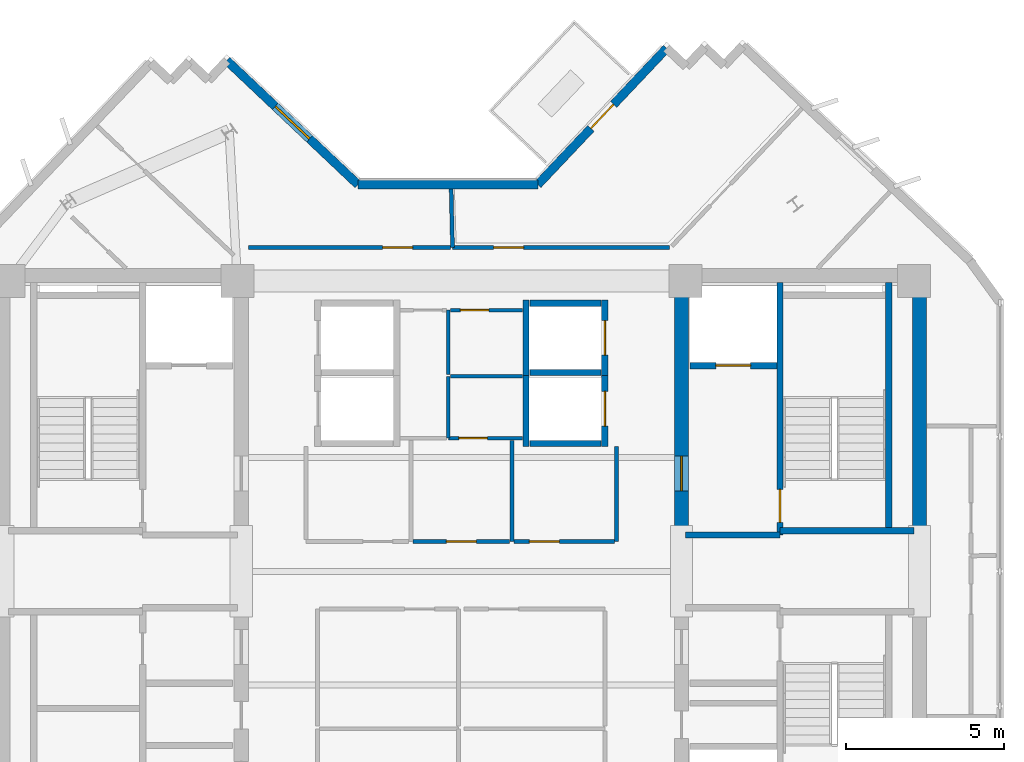
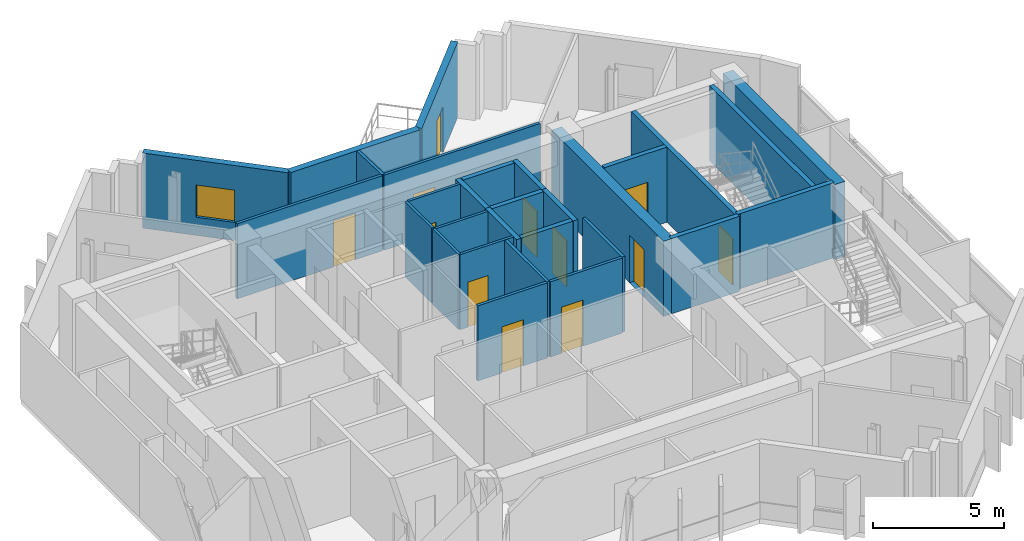
# One storey, part 6 of 9: 29 walls, 12 doors, 1 window, 13 openings.
"""IFC4 building model written with IfcOpenShell, lengths in metres."""

from ifc_helpers import new_model, si_unit, direction, frame, frame_2d, origin, place, context, subcontext, project, spatial, rectangle, extrude, source, transform, mapped, material, layer, layer_set, type_object, element, fill, save


model = new_model("IFC4")

# Units and contexts
model_context = context("Model", 3, precision=1e-05, world=origin(), true_north=direction((0.0, 1.0)))
body_context = subcontext(model_context, "Body", "Model", "MODEL_VIEW")
ifc_project = project(units=[si_unit("LENGTHUNIT", "METRE"), si_unit("AREAUNIT", "SQUARE_METRE"), si_unit("VOLUMEUNIT", "CUBIC_METRE"), si_unit("PLANEANGLEUNIT", "RADIAN"), si_unit("MASSUNIT", "GRAM", prefix="KILO")], contexts=[model_context])

# Site, building, storey
site_placement = place(None, origin())
site = spatial("IfcSite", under=ifc_project, at=site_placement, CompositionType="ELEMENT")
building_placement = place(site_placement, origin())
building = spatial("IfcBuilding", under=site, at=building_placement, Name="Zahravan Cultural Tower", CompositionType="ELEMENT")
storey_placement = place(building_placement, frame((0.0, 0.0, 306.60009765625)))
storey = spatial("IfcBuildingStorey", under=building, at=storey_placement, Name="L74", CompositionType="ELEMENT", Elevation=306.60009765625)

# Wall, opening, door
ifc_material_1 = material(Name="Concrete C50/60", Category="concrete")
ifc_layer_1 = layer(ifc_material_1, 0.449951171875)
ifc_layer_set_1 = layer_set([ifc_layer_1], Name="Concrete C50/60")
wall_type_1 = type_object("IfcWallType", Name="CW-SHEAR-450-C50", PredefinedType="SHEAR", material=ifc_layer_set_1)
wall_1_placement = place(storey_placement, frame((42.97509765625, 28.050048828125, 0.0), z_axis=(0.0, 0.0, 1.0), x_axis=(0.0, 1.0, 0.0)))
wall_1 = element("IfcWall", 1, at=wall_1_placement, inside=storey, type_object=wall_type_1, Name="L74 Core Shear Wall CW-E-WN-L74", PredefinedType="SHEAR", context=body_context, shape_type="SweptSolid", body=[
    extrude(rectangle(XDim=8.550048828125, YDim=0.449951171875, at=frame_2d((4.27490234375, 0.0))), origin(), (0.0, 0.0, 1.0), 3.5),
])
opening_1_placement = place(wall_1_placement, frame((1.5, 0.0, 0.0)))
opening_1 = element("IfcOpeningElement", 2, at=opening_1_placement, cuts=wall_1, Name="Opening D-L74-07", PredefinedType="OPENING", context=body_context, shape_type="SweptSolid", body=[
    extrude(rectangle(XDim=1.10009765625, YDim=2.199951171875, at=frame_2d((0.550048828125, 1.10009765625))), frame((0.0, 0.23486328125, 0.0), z_axis=(0.0, -1.0, 0.0), x_axis=(1.0, 0.0, 0.0)), (0.0, 0.0, 1.0), 0.469970703125),
])
ifc_material_2 = material(Name="Steel ASTM A572 Grade 50", Category="steel")
door_type_1 = type_object("IfcDoorType", Name="DR-LOBBY-1100", OperationType="NOTDEFINED", PredefinedType="DOOR", material=ifc_material_2)
shared_shape_1 = source(origin(), body_context, "Body", "SweptSolid", [
    extrude(rectangle(XDim=1.10009765625, YDim=2.199951171875, at=frame_2d((0.550048828125, 1.10009765625))), frame((0.0, 0.02490234375, 0.0), z_axis=(0.0, -1.0, 0.0), x_axis=(1.0, 0.0, 0.0)), (0.0, 0.0, 1.0), 0.050048828125),
])
door_1_placement = place(opening_1_placement, origin())
door_1 = element("IfcDoor", 3, at=door_1_placement, inside=storey, type_object=door_type_1, Name="L74 Door D-L74-07", OperationType="SINGLE_SWING_RIGHT", OverallHeight=2.199951171875, OverallWidth=1.10009765625, PredefinedType="DOOR", context=body_context, shape_type="MappedRepresentation", body=[
    mapped(shared_shape_1, transform((0.0, 0.0, 0.0), x_axis=(1.0, 0.0, 0.0), y_axis=(0.0, 1.0, 0.0), z_axis=(0.0, 0.0, 1.0), scale=1.0)),
])
fill(opening_1, door_1)

ifc_material_3 = material(Name="Precast concrete C40/50", Category="concrete")
ifc_layer_2 = layer(ifc_material_3, 0.280029296875)
ifc_layer_set_2 = layer_set([ifc_layer_2], Name="Precast concrete C40/50")
wall_type_2 = type_object("IfcWallType", Name="EW-TC-280", PredefinedType="SOLIDWALL", material=ifc_layer_set_2)
wall_2_placement = place(storey_placement, frame((38.423095703125, 39.260009765625, 0.0), z_axis=(0.0, 0.0, 1.0), x_axis=(0.686888766374, 0.72676256276, 0.0)))
wall_2 = element("IfcWall", 4, at=wall_2_placement, inside=storey, type_object=wall_type_2, Name="L74 Exterior Masonry Frame Wall 01", PredefinedType="SOLIDWALL", context=body_context, shape_type="SweptSolid", body=[
    extrude(rectangle(XDim=5.9453125, YDim=0.280029296875, at=frame_2d((2.97265625, 0.0))), origin(), (0.0, 0.0, 1.0), 3.5),
])
opening_2_placement = place(wall_2_placement, frame((2.447998046875, 0.0, 0.0)))
opening_2 = element("IfcOpeningElement", 5, at=opening_2_placement, cuts=wall_2, Name="Opening D-L74-TR-NE", PredefinedType="OPENING", context=body_context, shape_type="SweptSolid", body=[
    extrude(rectangle(XDim=1.050048828125, YDim=2.14990234375, at=frame_2d((0.52490234375, 1.074951171875))), frame((0.0, 0.14990234375, 0.0), z_axis=(0.0, -1.0, 0.0), x_axis=(1.0, 0.0, 0.0)), (0.0, 0.0, 1.0), 0.300048828125),
])
ifc_material_4 = material(Name="Anodised bronze-aluminium mullion", Category="aluminium")
door_type_2 = type_object("IfcDoorType", Name="DR-TERR-1050", OperationType="NOTDEFINED", PredefinedType="DOOR", material=ifc_material_4)
shared_shape_2 = source(origin(), body_context, "Body", "SweptSolid", [
    extrude(rectangle(XDim=1.050048828125, YDim=2.14990234375, at=frame_2d((0.52490234375, 1.074951171875))), frame((0.0, 0.02490234375, 0.0), z_axis=(0.0, -1.0, 0.0), x_axis=(1.0, 0.0, 0.0)), (0.0, 0.0, 1.0), 0.050048828125),
])
door_2_placement = place(opening_2_placement, origin())
door_2 = element("IfcDoor", 6, at=door_2_placement, inside=storey, type_object=door_type_2, Name="L74 Terrace Access Door NE", OperationType="SINGLE_SWING_LEFT", OverallHeight=2.14990234375, OverallWidth=1.050048828125, PredefinedType="DOOR", context=body_context, shape_type="MappedRepresentation", body=[
    mapped(shared_shape_2, transform((0.0, 0.0, 0.0), x_axis=(1.0, 0.0, 0.0), y_axis=(0.0, 1.0, 0.0), z_axis=(0.0, 0.0, 1.0), scale=1.0)),
])
fill(opening_2, door_2)

# Wall, opening, window
wall_3_placement = place(storey_placement, frame((28.568359375, 43.1875, 0.0), z_axis=(0.0, 0.0, 1.0), x_axis=(0.726765623086, -0.686885528382, 0.0)))
wall_3 = element("IfcWall", 7, at=wall_3_placement, inside=storey, type_object=wall_type_2, Name="L74 Exterior Masonry Frame Wall 27", PredefinedType="SOLIDWALL", context=body_context, shape_type="SweptSolid", body=[
    extrude(rectangle(XDim=5.7177734375, YDim=0.280029296875, at=frame_2d((2.85888671875, 0.0))), origin(), (0.0, 0.0, 1.0), 3.5),
])
opening_3_placement = place(wall_3_placement, frame((2.10888671875, 0.0, 0.85009765625)))
opening_3 = element("IfcOpeningElement", 8, at=opening_3_placement, cuts=wall_3, Name="Opening WN-03", PredefinedType="OPENING", context=body_context, shape_type="SweptSolid", body=[
    extrude(rectangle(XDim=1.5, YDim=1.5, at=frame_2d((0.75, 0.75))), frame((0.0, 0.14990234375, 0.0), z_axis=(0.0, -1.0, 0.0), x_axis=(1.0, 0.0, 0.0)), (0.0, 0.0, 1.0), 0.300048828125),
])
ifc_material_5 = material(Name="Low-E solar-control double glazing", Category="glass")
window_type = type_object("IfcWindowType", Name="WN-REC-1500X1500", PartitioningType="SINGLE_PANEL", PredefinedType="WINDOW", material=ifc_material_5)
shared_shape_3 = source(origin(), body_context, "Body", "SweptSolid", [
    extrude(rectangle(XDim=1.5, YDim=1.5, at=frame_2d((0.75, 0.75))), frame((0.0, 0.030029296875, 0.0), z_axis=(0.0, -1.0, 0.0), x_axis=(1.0, 0.0, 0.0)), (0.0, 0.0, 1.0), 0.06005859375),
])
window_placement = place(opening_3_placement, origin())
window = element("IfcWindow", 9, at=window_placement, inside=storey, type_object=window_type, Name="L74 Recessed Solar Window 05", OverallHeight=1.5, OverallWidth=1.5, PartitioningType="SINGLE_PANEL", PredefinedType="WINDOW", context=body_context, shape_type="MappedRepresentation", body=[
    mapped(shared_shape_3, transform((0.0, 0.0, 0.0), x_axis=(1.0, 0.0, 0.0), y_axis=(0.0, 1.0, 0.0), z_axis=(0.0, 0.0, 1.0), scale=1.0)),
])
fill(opening_3, window)

# Wall, opening, door
ifc_material_6 = material(Name="Gypsum plasterboard partition")
ifc_layer_3 = layer(ifc_material_6, 0.125)
ifc_layer_set_3 = layer_set([ifc_layer_3], Name="Gypsum plasterboard partition")
wall_type_3 = type_object("IfcWallType", Name="W-PART-125", PredefinedType="PARTITIONING", material=ifc_layer_set_3)
wall_4_placement = place(storey_placement, frame((37.532470703125, 27.93994140625, 0.0), z_axis=(0.0, 0.0, 1.0), x_axis=(-1.0, 0.0, 0.0)))
wall_4 = element("IfcWall", 10, at=wall_4_placement, inside=storey, type_object=wall_type_3, Name="L74 Interior Wall 055", PredefinedType="PARTITIONING", context=body_context, shape_type="SweptSolid", body=[
    extrude(rectangle(XDim=3.06494140625, YDim=0.125, at=frame_2d((1.532470703125, 0.0))), origin(), (0.0, 0.0, 1.0), 3.5),
])
opening_4_placement = place(wall_4_placement, frame((1.0576171875, 0.0, 0.0)))
opening_4 = element("IfcOpeningElement", 11, at=opening_4_placement, cuts=wall_4, Name="Opening D-L74-21", PredefinedType="OPENING", context=body_context, shape_type="SweptSolid", body=[
    extrude(rectangle(XDim=0.949951171875, YDim=2.14990234375, at=frame_2d((0.47509765625, 1.074951171875))), frame((0.0, 0.072509765625, 0.0), z_axis=(0.0, -1.0, 0.0), x_axis=(1.0, 0.0, 0.0)), (0.0, 0.0, 1.0), 0.14501953125),
])
door_type_3 = type_object("IfcDoorType", Name="DR-ROOM-950", OperationType="NOTDEFINED", PredefinedType="DOOR", material=ifc_material_4)
shared_shape_4 = source(origin(), body_context, "Body", "SweptSolid", [
    extrude(rectangle(XDim=0.949951171875, YDim=2.14990234375, at=frame_2d((0.47509765625, 1.074951171875))), frame((0.0, 0.02490234375, 0.0), z_axis=(0.0, -1.0, 0.0), x_axis=(1.0, 0.0, 0.0)), (0.0, 0.0, 1.0), 0.050048828125),
])
door_3_placement = place(opening_4_placement, origin())
door_3 = element("IfcDoor", 12, at=door_3_placement, inside=storey, type_object=door_type_3, Name="L74 Door D-L74-21", OperationType="SINGLE_SWING_RIGHT", OverallHeight=2.14990234375, OverallWidth=0.949951171875, PredefinedType="DOOR", context=body_context, shape_type="MappedRepresentation", body=[
    mapped(shared_shape_4, transform((0.0, 0.0, 0.0), x_axis=(1.0, 0.0, 0.0), y_axis=(0.0, 1.0, 0.0), z_axis=(0.0, 0.0, 1.0), scale=1.0)),
])
fill(opening_4, door_3)

wall_5_placement = place(storey_placement, frame((40.8525390625, 27.93994140625, 0.0), z_axis=(0.0, 0.0, 1.0), x_axis=(-1.0, 0.0, 0.0)))
wall_5 = element("IfcWall", 13, at=wall_5_placement, inside=storey, type_object=wall_type_3, Name="L74 Interior Wall 059", PredefinedType="PARTITIONING", context=body_context, shape_type="SweptSolid", body=[
    extrude(rectangle(XDim=3.18505859375, YDim=0.125, at=frame_2d((1.592529296875, 0.0))), origin(), (0.0, 0.0, 1.0), 3.5),
])
opening_5_placement = place(wall_5_placement, frame((1.743408203125, 0.0, 0.0)))
opening_5 = element("IfcOpeningElement", 14, at=opening_5_placement, cuts=wall_5, Name="Opening D-L74-22", PredefinedType="OPENING", context=body_context, shape_type="SweptSolid", body=[
    extrude(rectangle(XDim=0.949951171875, YDim=2.14990234375, at=frame_2d((0.47509765625, 1.074951171875))), frame((0.0, 0.072509765625, 0.0), z_axis=(0.0, -1.0, 0.0), x_axis=(1.0, 0.0, 0.0)), (0.0, 0.0, 1.0), 0.14501953125),
])
door_4_placement = place(opening_5_placement, origin())
door_4 = element("IfcDoor", 15, at=door_4_placement, inside=storey, type_object=door_type_3, Name="L74 Door D-L74-22", OperationType="SINGLE_SWING_LEFT", OverallHeight=2.14990234375, OverallWidth=0.949951171875, PredefinedType="DOOR", context=body_context, shape_type="MappedRepresentation", body=[
    mapped(shared_shape_4, transform((0.0, 0.0, 0.0), x_axis=(1.0, 0.0, 0.0), y_axis=(0.0, 1.0, 0.0), z_axis=(0.0, 0.0, 1.0), scale=1.0)),
])
fill(opening_5, door_4)

wall_6_placement = place(storey_placement, frame((35.65283203125, 37.260009765625, 0.0), z_axis=(0.0, 0.0, 1.0), x_axis=(-0.999999997089, -7.6303842e-05, 0.0)))
wall_6 = element("IfcWall", 16, at=wall_6_placement, inside=storey, type_object=wall_type_3, Name="L74 Interior Wall 091", PredefinedType="PARTITIONING", context=body_context, shape_type="SweptSolid", body=[
    extrude(rectangle(XDim=6.399169921875, YDim=0.125, at=frame_2d((3.19970703125, 0.0))), origin(), (0.0, 0.0, 1.0), 3.5),
])
opening_6_placement = place(wall_6_placement, frame((1.19873046875, 0.0, 0.0)))
opening_6 = element("IfcOpeningElement", 17, at=opening_6_placement, cuts=wall_6, Name="Opening D-L74-25", PredefinedType="OPENING", context=body_context, shape_type="SweptSolid", body=[
    extrude(rectangle(XDim=0.949951171875, YDim=2.14990234375, at=frame_2d((0.47509765625, 1.074951171875))), frame((0.0, 0.072509765625, 0.0), z_axis=(0.0, -1.0, 0.0), x_axis=(1.0, 0.0, 0.0)), (0.0, 0.0, 1.0), 0.14501953125),
])
door_5_placement = place(opening_6_placement, origin())
door_5 = element("IfcDoor", 18, at=door_5_placement, inside=storey, type_object=door_type_3, Name="L74 Door D-L74-25", OperationType="SINGLE_SWING_RIGHT", OverallHeight=2.14990234375, OverallWidth=0.949951171875, PredefinedType="DOOR", context=body_context, shape_type="MappedRepresentation", body=[
    mapped(shared_shape_4, transform((0.0, 0.0, 0.0), x_axis=(1.0, 0.0, 0.0), y_axis=(0.0, 1.0, 0.0), z_axis=(0.0, 0.0, 1.0), scale=1.0)),
])
fill(opening_6, door_5)

wall_7_placement = place(storey_placement, frame((42.600830078125, 37.260009765625, 0.0), z_axis=(0.0, 0.0, 1.0), x_axis=(-1.0, 0.0, 0.0)))
wall_7 = element("IfcWall", 19, at=wall_7_placement, inside=storey, type_object=wall_type_3, Name="L74 Interior Wall 094", PredefinedType="PARTITIONING", context=body_context, shape_type="SweptSolid", body=[
    extrude(rectangle(XDim=6.880615234375, YDim=0.125, at=frame_2d((3.4404296875, 0.0))), origin(), (0.0, 0.0, 1.0), 3.5),
])
opening_7_placement = place(wall_7_placement, frame((4.6259765625, 0.0, 0.0)))
opening_7 = element("IfcOpeningElement", 20, at=opening_7_placement, cuts=wall_7, Name="Opening D-L74-24", PredefinedType="OPENING", context=body_context, shape_type="SweptSolid", body=[
    extrude(rectangle(XDim=0.949951171875, YDim=2.14990234375, at=frame_2d((0.47509765625, 1.074951171875))), frame((0.0, 0.072509765625, 0.0), z_axis=(0.0, -1.0, 0.0), x_axis=(1.0, 0.0, 0.0)), (0.0, 0.0, 1.0), 0.14501953125),
])
door_6_placement = place(opening_7_placement, origin())
door_6 = element("IfcDoor", 21, at=door_6_placement, inside=storey, type_object=door_type_3, Name="L74 Door D-L74-24", OperationType="SINGLE_SWING_LEFT", OverallHeight=2.14990234375, OverallWidth=0.949951171875, PredefinedType="DOOR", context=body_context, shape_type="MappedRepresentation", body=[
    mapped(shared_shape_4, transform((0.0, 0.0, 0.0), x_axis=(1.0, 0.0, 0.0), y_axis=(0.0, 1.0, 0.0), z_axis=(0.0, 0.0, 1.0), scale=1.0)),
])
fill(opening_7, door_6)

ifc_material_7 = material(Name="Concrete C45/55", Category="concrete")
ifc_layer_4 = layer(ifc_material_7, 0.199951171875)
ifc_layer_set_4 = layer_set([ifc_layer_4], Name="Concrete C45/55")
wall_type_4 = type_object("IfcWallType", Name="W-SHAFT-200", PredefinedType="SOLIDWALL", material=ifc_layer_set_4)
wall_8_placement = place(storey_placement, frame((46.10009765625, 28.14990234375, 0.0), z_axis=(0.0, 0.0, 1.0), x_axis=(0.0, 1.0, 0.0)))
wall_8 = element("IfcWall", 22, at=wall_8_placement, inside=storey, type_object=wall_type_4, Name="L74 Interior Wall 008", PredefinedType="SOLIDWALL", context=body_context, shape_type="SweptSolid", body=[
    extrude(rectangle(XDim=8.0, YDim=0.199951171875, at=frame_2d((4.0, 0.0))), origin(), (0.0, 0.0, 1.0), 3.5),
])
opening_8_placement = place(wall_8_placement, frame((0.39990234375, 0.0, 0.0)))
opening_8 = element("IfcOpeningElement", 23, at=opening_8_placement, cuts=wall_8, Name="Opening D-L74-02", PredefinedType="OPENING", context=body_context, shape_type="SweptSolid", body=[
    extrude(rectangle(XDim=1.050048828125, YDim=2.14990234375, at=frame_2d((0.52490234375, 1.074951171875))), frame((0.0, 0.10986328125, 0.0), z_axis=(0.0, -1.0, 0.0), x_axis=(1.0, 0.0, 0.0)), (0.0, 0.0, 1.0), 0.219970703125),
])
door_type_4 = type_object("IfcDoorType", Name="DR-STAIR-1050", OperationType="NOTDEFINED", PredefinedType="DOOR", material=ifc_material_2)
door_7_placement = place(opening_8_placement, origin())
door_7 = element("IfcDoor", 24, at=door_7_placement, inside=storey, type_object=door_type_4, Name="L74 Door D-L74-02", OperationType="SINGLE_SWING_LEFT", OverallHeight=2.14990234375, OverallWidth=1.050048828125, PredefinedType="DOOR", context=body_context, shape_type="MappedRepresentation", body=[
    mapped(shared_shape_2, transform((0.0, 0.0, 0.0), x_axis=(1.0, 0.0, 0.0), y_axis=(0.0, 1.0, 0.0), z_axis=(0.0, 0.0, 1.0), scale=1.0)),
])
fill(opening_8, door_7)

wall_9_placement = place(storey_placement, frame((43.25, 33.52001953125, 0.0), z_axis=(0.0, 0.0, 1.0), x_axis=(1.0, 0.0, 0.0)))
wall_9 = element("IfcWall", 25, at=wall_9_placement, inside=storey, type_object=wall_type_4, Name="L74 Interior Wall 023", PredefinedType="SOLIDWALL", context=body_context, shape_type="SweptSolid", body=[
    extrude(rectangle(XDim=2.75, YDim=0.199951171875, at=frame_2d((1.375, 0.0))), origin(), (0.0, 0.0, 1.0), 3.5),
])
opening_9_placement = place(wall_9_placement, frame((0.820068359375, 0.0, 0.0)))
opening_9 = element("IfcOpeningElement", 26, at=opening_9_placement, cuts=wall_9, Name="Opening LD-L74-02", PredefinedType="OPENING", context=body_context, shape_type="SweptSolid", body=[
    extrude(rectangle(XDim=1.10009765625, YDim=2.14990234375, at=frame_2d((0.550048828125, 1.074951171875))), frame((0.0, 0.10986328125, 0.0), z_axis=(0.0, -1.0, 0.0), x_axis=(1.0, 0.0, 0.0)), (0.0, 0.0, 1.0), 0.219970703125),
])
door_type_5 = type_object("IfcDoorType", Name="DR-LIFT-1100", OperationType="DOUBLE_DOOR_SLIDING", PredefinedType="DOOR", material=ifc_material_2)
shared_shape_5 = source(origin(), body_context, "Body", "SweptSolid", [
    extrude(rectangle(XDim=1.10009765625, YDim=2.14990234375, at=frame_2d((0.550048828125, 1.074951171875))), frame((0.0, 0.02490234375, 0.0), z_axis=(0.0, -1.0, 0.0), x_axis=(1.0, 0.0, 0.0)), (0.0, 0.0, 1.0), 0.050048828125),
])
door_8_placement = place(opening_9_placement, origin())
door_8 = element("IfcDoor", 27, at=door_8_placement, inside=storey, type_object=door_type_5, Name="L74 Door LD-L74-02", OperationType="DOUBLE_DOOR_SLIDING", OverallHeight=2.14990234375, OverallWidth=1.10009765625, PredefinedType="DOOR", context=body_context, shape_type="MappedRepresentation", body=[
    mapped(shared_shape_5, transform((0.0, 0.0, 0.0), x_axis=(1.0, 0.0, 0.0), y_axis=(0.0, 1.0, 0.0), z_axis=(0.0, 0.0, 1.0), scale=1.0)),
])
fill(opening_9, door_8)

wall_10_placement = place(storey_placement, frame((40.550048828125, 33.199951171875, 0.0), z_axis=(0.0, 0.0, 1.0), x_axis=(0.0, 1.0, 0.0)))
wall_10 = element("IfcWall", 28, at=wall_10_placement, inside=storey, type_object=wall_type_4, Name="L74 Interior Wall 038", PredefinedType="SOLIDWALL", context=body_context, shape_type="SweptSolid", body=[
    extrude(rectangle(XDim=2.400146484375, YDim=0.199951171875, at=frame_2d((1.2001953125, 0.0))), origin(), (0.0, 0.0, 1.0), 3.5),
])
opening_10_placement = place(wall_10_placement, frame((0.64990234375, 0.0, 0.0)))
opening_10 = element("IfcOpeningElement", 29, at=opening_10_placement, cuts=wall_10, Name="Opening LD-L74-06", PredefinedType="OPENING", context=body_context, shape_type="SweptSolid", body=[
    extrude(rectangle(XDim=1.10009765625, YDim=2.14990234375, at=frame_2d((0.550048828125, 1.074951171875))), frame((0.0, 0.10986328125, 0.0), z_axis=(0.0, -1.0, 0.0), x_axis=(1.0, 0.0, 0.0)), (0.0, 0.0, 1.0), 0.219970703125),
])
door_9_placement = place(opening_10_placement, origin())
door_9 = element("IfcDoor", 30, at=door_9_placement, inside=storey, type_object=door_type_5, Name="L74 Door LD-L74-06", OperationType="DOUBLE_DOOR_SLIDING", OverallHeight=2.14990234375, OverallWidth=1.10009765625, PredefinedType="DOOR", context=body_context, shape_type="MappedRepresentation", body=[
    mapped(shared_shape_5, transform((0.0, 0.0, 0.0), x_axis=(1.0, 0.0, 0.0), y_axis=(0.0, 1.0, 0.0), z_axis=(0.0, 0.0, 1.0), scale=1.0)),
])
fill(opening_10, door_9)

wall_11_placement = place(storey_placement, frame((40.550048828125, 30.949951171875, 0.0), z_axis=(0.0, 0.0, 1.0), x_axis=(0.0, 1.0, 0.0)))
wall_11 = element("IfcWall", 31, at=wall_11_placement, inside=storey, type_object=wall_type_4, Name="L74 Interior Wall 042", PredefinedType="SOLIDWALL", context=body_context, shape_type="SweptSolid", body=[
    extrude(rectangle(XDim=2.400146484375, YDim=0.199951171875, at=frame_2d((1.2001953125, 0.0))), origin(), (0.0, 0.0, 1.0), 3.5),
])
opening_11_placement = place(wall_11_placement, frame((0.64990234375, 0.0, 0.0)))
opening_11 = element("IfcOpeningElement", 32, at=opening_11_placement, cuts=wall_11, Name="Opening LD-L74-07", PredefinedType="OPENING", context=body_context, shape_type="SweptSolid", body=[
    extrude(rectangle(XDim=1.10009765625, YDim=2.14990234375, at=frame_2d((0.550048828125, 1.074951171875))), frame((0.0, 0.10986328125, 0.0), z_axis=(0.0, -1.0, 0.0), x_axis=(1.0, 0.0, 0.0)), (0.0, 0.0, 1.0), 0.219970703125),
])
door_10_placement = place(opening_11_placement, origin())
door_10 = element("IfcDoor", 33, at=door_10_placement, inside=storey, type_object=door_type_5, Name="L74 Door LD-L74-07", OperationType="DOUBLE_DOOR_SLIDING", OverallHeight=2.14990234375, OverallWidth=1.10009765625, PredefinedType="DOOR", context=body_context, shape_type="MappedRepresentation", body=[
    mapped(shared_shape_5, transform((0.0, 0.0, 0.0), x_axis=(1.0, 0.0, 0.0), y_axis=(0.0, 1.0, 0.0), z_axis=(0.0, 0.0, 1.0), scale=1.0)),
])
fill(opening_11, door_10)

ifc_layer_5 = layer(ifc_material_6, 0.114990234375)
ifc_layer_set_5 = layer_set([ifc_layer_5], Name="Gypsum plasterboard partition")
wall_type_5 = type_object("IfcWallType", Name="W-WC-115", PredefinedType="PARTITIONING", material=ifc_layer_set_5)
wall_12_placement = place(storey_placement, frame((37.945068359375, 31.219970703125, 0.0), z_axis=(0.0, 0.0, 1.0), x_axis=(-1.0, 0.0, 0.0)))
wall_12 = element("IfcWall", 34, at=wall_12_placement, inside=storey, type_object=wall_type_5, Name="L74 Interior Wall 044", PredefinedType="PARTITIONING", context=body_context, shape_type="SweptSolid", body=[
    extrude(rectangle(XDim=2.35498046875, YDim=0.114990234375, at=frame_2d((1.177490234375, 0.0))), origin(), (0.0, 0.0, 1.0), 3.5),
])
opening_12_placement = place(wall_12_placement, frame((1.120849609375, 0.0, 0.0)))
opening_12 = element("IfcOpeningElement", 35, at=opening_12_placement, cuts=wall_12, Name="Opening D-L74-31", PredefinedType="OPENING", context=body_context, shape_type="SweptSolid", body=[
    extrude(rectangle(XDim=0.89990234375, YDim=2.10009765625, at=frame_2d((0.449951171875, 1.050048828125))), frame((0.0, 0.0673828125, 0.0), z_axis=(0.0, -1.0, 0.0), x_axis=(1.0, 0.0, 0.0)), (0.0, 0.0, 1.0), 0.135009765625),
])
door_type_6 = type_object("IfcDoorType", Name="DR-WC-900", OperationType="NOTDEFINED", PredefinedType="DOOR", material=ifc_material_4)
shared_shape_6 = source(origin(), body_context, "Body", "SweptSolid", [
    extrude(rectangle(XDim=0.89990234375, YDim=2.10009765625, at=frame_2d((0.449951171875, 1.050048828125))), frame((0.0, 0.02490234375, 0.0), z_axis=(0.0, -1.0, 0.0), x_axis=(1.0, 0.0, 0.0)), (0.0, 0.0, 1.0), 0.050048828125),
])
door_11_placement = place(opening_12_placement, origin())
door_11 = element("IfcDoor", 36, at=door_11_placement, inside=storey, type_object=door_type_6, Name="L74 Door D-L74-31", OperationType="SINGLE_SWING_RIGHT", OverallHeight=2.10009765625, OverallWidth=0.89990234375, PredefinedType="DOOR", context=body_context, shape_type="MappedRepresentation", body=[
    mapped(shared_shape_6, transform((0.0, 0.0, 0.0), x_axis=(1.0, 0.0, 0.0), y_axis=(0.0, 1.0, 0.0), z_axis=(0.0, 0.0, 1.0), scale=1.0)),
])
fill(opening_12, door_11)

wall_13_placement = place(storey_placement, frame((35.652587890625, 35.280029296875, 0.0), z_axis=(0.0, 0.0, 1.0), x_axis=(1.0, 0.0, 0.0)))
wall_13 = element("IfcWall", 37, at=wall_13_placement, inside=storey, type_object=wall_type_5, Name="L74 Interior Wall 048", PredefinedType="PARTITIONING", context=body_context, shape_type="SweptSolid", body=[
    extrude(rectangle(XDim=2.29248046875, YDim=0.114990234375, at=frame_2d((1.146240234375, 0.0))), origin(), (0.0, 0.0, 1.0), 3.5),
])
opening_13_placement = place(wall_13_placement, frame((0.3203125, 0.0, 0.0)))
opening_13 = element("IfcOpeningElement", 38, at=opening_13_placement, cuts=wall_13, Name="Opening D-L74-19", PredefinedType="OPENING", context=body_context, shape_type="SweptSolid", body=[
    extrude(rectangle(XDim=0.89990234375, YDim=2.10009765625, at=frame_2d((0.449951171875, 1.050048828125))), frame((0.0, 0.0673828125, 0.0), z_axis=(0.0, -1.0, 0.0), x_axis=(1.0, 0.0, 0.0)), (0.0, 0.0, 1.0), 0.135009765625),
])
door_12_placement = place(opening_13_placement, origin())
door_12 = element("IfcDoor", 39, at=door_12_placement, inside=storey, type_object=door_type_6, Name="L74 Door D-L74-19", OperationType="SINGLE_SWING_RIGHT", OverallHeight=2.10009765625, OverallWidth=0.89990234375, PredefinedType="DOOR", context=body_context, shape_type="MappedRepresentation", body=[
    mapped(shared_shape_6, transform((0.0, 0.0, 0.0), x_axis=(1.0, 0.0, 0.0), y_axis=(0.0, 1.0, 0.0), z_axis=(0.0, 0.0, 1.0), scale=1.0)),
])
fill(opening_13, door_12)

# Walls
shared_shape_7 = source(origin(), body_context, "Body", "SweptSolid", [
    extrude(rectangle(XDim=8.550048828125, YDim=0.449951171875, at=frame_2d((4.27490234375, 0.0))), origin(), (0.0, 0.0, 1.0), 3.5),
])
wall_14_placement = place(storey_placement, frame((50.52490234375, 28.050048828125, 0.0), z_axis=(0.0, 0.0, 1.0), x_axis=(0.0, 1.0, 0.0)))
element("IfcWall", 40, at=wall_14_placement, inside=storey, type_object=wall_type_1, Name="L74 Core Shear Wall CW-E-EN-L74", PredefinedType="SHEAR", context=body_context, shape_type="MappedRepresentation", body=[
    mapped(shared_shape_7, transform((0.0, 0.0, 0.0), x_axis=(1.0, 0.0, 0.0), y_axis=(0.0, 1.0, 0.0), z_axis=(0.0, 0.0, 1.0), scale=1.0)),
])
shared_shape_8 = source(origin(), body_context, "Body", "SweptSolid", [
    extrude(rectangle(XDim=5.69921875, YDim=0.280029296875, at=frame_2d((2.849609375, 0.0))), origin(), (0.0, 0.0, 1.0), 3.5),
])
wall_15_placement = place(storey_placement, frame((32.723876953125, 39.260009765625, 0.0), z_axis=(0.0, 0.0, 1.0), x_axis=(1.0, 0.0, 0.0)))
element("IfcWall", 41, at=wall_15_placement, inside=storey, type_object=wall_type_2, Name="L74 Exterior Masonry Frame Wall 28", PredefinedType="SOLIDWALL", context=body_context, shape_type="MappedRepresentation", body=[
    mapped(shared_shape_8, transform((0.0, 0.0, 0.0), x_axis=(1.0, 0.0, 0.0), y_axis=(0.0, 1.0, 0.0), z_axis=(0.0, 0.0, 1.0), scale=1.0)),
])
shared_shape_9 = source(origin(), body_context, "Body", "SweptSolid", [
    extrude(rectangle(XDim=7.869873046875, YDim=0.199951171875, at=frame_2d((3.93505859375, 0.0))), origin(), (0.0, 0.0, 1.0), 3.5),
])
wall_16_placement = place(storey_placement, frame((49.550048828125, 28.280029296875, 0.0), z_axis=(0.0, 0.0, 1.0), x_axis=(0.0, 1.0, 0.0)))
element("IfcWall", 42, at=wall_16_placement, inside=storey, type_object=wall_type_4, Name="L74 Interior Wall 004", PredefinedType="SOLIDWALL", context=body_context, shape_type="MappedRepresentation", body=[
    mapped(shared_shape_9, transform((0.0, 0.0, 0.0), x_axis=(1.0, 0.0, 0.0), y_axis=(0.0, 1.0, 0.0), z_axis=(0.0, 0.0, 1.0), scale=1.0)),
])
shared_shape_10 = source(origin(), body_context, "Body", "SweptSolid", [
    extrude(rectangle(XDim=4.25, YDim=0.199951171875, at=frame_2d((2.125, 0.0))), origin(), (0.0, 0.0, 1.0), 3.5),
])
wall_17_placement = place(storey_placement, frame((46.10009765625, 28.284912109375, 0.0), z_axis=(0.0, 0.0, 1.0), x_axis=(1.0, 0.0, 0.0)))
element("IfcWall", 43, at=wall_17_placement, inside=storey, type_object=wall_type_4, Name="L74 Interior Wall 016", PredefinedType="SOLIDWALL", context=body_context, shape_type="MappedRepresentation", body=[
    mapped(shared_shape_10, transform((0.0, 0.0, 0.0), x_axis=(1.0, 0.0, 0.0), y_axis=(0.0, 1.0, 0.0), z_axis=(0.0, 0.0, 1.0), scale=1.0)),
])
shared_shape_11 = source(origin(), body_context, "Body", "SweptSolid", [
    extrude(rectangle(XDim=3.0, YDim=0.199951171875, at=frame_2d((1.5, 0.0))), origin(), (0.0, 0.0, 1.0), 3.5),
])
wall_18_placement = place(storey_placement, frame((43.10009765625, 28.14990234375, 0.0), z_axis=(0.0, 0.0, 1.0), x_axis=(1.0, 0.0, 0.0)))
element("IfcWall", 44, at=wall_18_placement, inside=storey, type_object=wall_type_4, Name="L74 Interior Wall 015", PredefinedType="SOLIDWALL", context=body_context, shape_type="MappedRepresentation", body=[
    mapped(shared_shape_11, transform((0.0, 0.0, 0.0), x_axis=(1.0, 0.0, 0.0), y_axis=(0.0, 1.0, 0.0), z_axis=(0.0, 0.0, 1.0), scale=1.0)),
])
shared_shape_12 = source(origin(), body_context, "Body", "SweptSolid", [
    extrude(rectangle(XDim=2.400146484375, YDim=0.199951171875, at=frame_2d((1.2001953125, 0.0))), origin(), (0.0, 0.0, 1.0), 3.5),
])
for number, where, z_axis, x_axis, name in (
    (45, (38.050048828125, 33.199951171875, 0.0), (0.0, 0.0, 1.0), (0.0, 1.0, 0.0), "L74 Interior Wall 037"),
    (46, (38.050048828125, 30.949951171875, 0.0), (0.0, 0.0, 1.0), (0.0, 1.0, 0.0), "L74 Interior Wall 041"),
):
    element("IfcWall", number, at=place(storey_placement, frame(where, z_axis=z_axis, x_axis=x_axis)), inside=storey, type_object=wall_type_4, Name=name, PredefinedType="SOLIDWALL", context=body_context, shape_type="MappedRepresentation", body=[
        mapped(shared_shape_12, transform((0.0, 0.0, 0.0), x_axis=(1.0, 0.0, 0.0), y_axis=(0.0, 1.0, 0.0), z_axis=(0.0, 0.0, 1.0), scale=1.0)),
    ])
shared_shape_13 = source(origin(), body_context, "Body", "SweptSolid", [
    extrude(rectangle(XDim=2.260009765625, YDim=0.199951171875, at=frame_2d((1.1298828125, 0.0))), origin(), (0.0, 0.0, 1.0), 3.5),
])
for number, where, z_axis, x_axis, name in (
    (47, (38.169921875, 33.300048828125, 0.0), (0.0, 0.0, 1.0), (1.0, 0.0, 0.0), "L74 Interior Wall 039"),
    (48, (38.169921875, 35.5, 0.0), (0.0, 0.0, 1.0), (1.0, 0.0, 0.0), "L74 Interior Wall 040"),
    (49, (38.169921875, 31.050048828125, 0.0), (0.0, 0.0, 1.0), (1.0, 0.0, 0.0), "L74 Interior Wall 043"),
):
    element("IfcWall", number, at=place(storey_placement, frame(where, z_axis=z_axis, x_axis=x_axis)), inside=storey, type_object=wall_type_4, Name=name, PredefinedType="SOLIDWALL", context=body_context, shape_type="MappedRepresentation", body=[
        mapped(shared_shape_13, transform((0.0, 0.0, 0.0), x_axis=(1.0, 0.0, 0.0), y_axis=(0.0, 1.0, 0.0), z_axis=(0.0, 0.0, 1.0), scale=1.0)),
    ])
shared_shape_14 = source(origin(), body_context, "Body", "SweptSolid", [
    extrude(rectangle(XDim=1.9599609375, YDim=0.114990234375, at=frame_2d((0.97998046875, 0.0))), origin(), (0.0, 0.0, 1.0), 3.5),
])
wall_19_placement = place(storey_placement, frame((35.590087890625, 31.219970703125, 0.0), z_axis=(0.0, 0.0, 1.0), x_axis=(0.0, 1.0, 0.0)))
element("IfcWall", 50, at=wall_19_placement, inside=storey, type_object=wall_type_5, Name="L74 Interior Wall 045", PredefinedType="PARTITIONING", context=body_context, shape_type="MappedRepresentation", body=[
    mapped(shared_shape_14, transform((0.0, 0.0, 0.0), x_axis=(1.0, 0.0, 0.0), y_axis=(0.0, 1.0, 0.0), z_axis=(0.0, 0.0, 1.0), scale=1.0)),
])
shared_shape_15 = source(origin(), body_context, "Body", "SweptSolid", [
    extrude(rectangle(XDim=2.29248046875, YDim=0.114990234375, at=frame_2d((1.146240234375, 0.0))), origin(), (0.0, 0.0, 1.0), 3.5),
])
wall_20_placement = place(storey_placement, frame((35.652587890625, 33.179931640625, 0.0), z_axis=(0.0, 0.0, 1.0), x_axis=(1.0, 0.0, 0.0)))
element("IfcWall", 51, at=wall_20_placement, inside=storey, type_object=wall_type_5, Name="L74 Interior Wall 046", PredefinedType="PARTITIONING", context=body_context, shape_type="MappedRepresentation", body=[
    mapped(shared_shape_15, transform((0.0, 0.0, 0.0), x_axis=(1.0, 0.0, 0.0), y_axis=(0.0, 1.0, 0.0), z_axis=(0.0, 0.0, 1.0), scale=1.0)),
])
shared_shape_16 = source(origin(), body_context, "Body", "SweptSolid", [
    extrude(rectangle(XDim=2.0400390625, YDim=0.114990234375, at=frame_2d((1.02001953125, 0.0))), origin(), (0.0, 0.0, 1.0), 3.5),
])
wall_21_placement = place(storey_placement, frame((35.590087890625, 33.239990234375, 0.0), z_axis=(0.0, 0.0, 1.0), x_axis=(0.0, 1.0, 0.0)))
element("IfcWall", 52, at=wall_21_placement, inside=storey, type_object=wall_type_5, Name="L74 Interior Wall 047", PredefinedType="PARTITIONING", context=body_context, shape_type="MappedRepresentation", body=[
    mapped(shared_shape_16, transform((0.0, 0.0, 0.0), x_axis=(1.0, 0.0, 0.0), y_axis=(0.0, 1.0, 0.0), z_axis=(0.0, 0.0, 1.0), scale=1.0)),
])
shared_shape_17 = source(origin(), body_context, "Body", "SweptSolid", [
    extrude(rectangle(XDim=3.199951171875, YDim=0.125, at=frame_2d((1.60009765625, 0.0))), origin(), (0.0, 0.0, 1.0), 3.5),
])
wall_22_placement = place(storey_placement, frame((37.60009765625, 31.139892578125, 0.0), z_axis=(0.0, 0.0, 1.0), x_axis=(0.0, -1.0, 0.0)))
element("IfcWall", 53, at=wall_22_placement, inside=storey, type_object=wall_type_3, Name="L74 Interior Wall 054", PredefinedType="PARTITIONING", context=body_context, shape_type="MappedRepresentation", body=[
    mapped(shared_shape_17, transform((0.0, 0.0, 0.0), x_axis=(1.0, 0.0, 0.0), y_axis=(0.0, 1.0, 0.0), z_axis=(0.0, 0.0, 1.0), scale=1.0)),
])
shared_shape_18 = source(origin(), body_context, "Body", "SweptSolid", [
    extrude(rectangle(XDim=3.010009765625, YDim=0.125, at=frame_2d((1.5048828125, 0.0))), origin(), (0.0, 0.0, 1.0), 3.5),
])
wall_23_placement = place(storey_placement, frame((40.919921875, 30.949951171875, 0.0), z_axis=(0.0, 0.0, 1.0), x_axis=(0.0, -1.0, 0.0)))
element("IfcWall", 54, at=wall_23_placement, inside=storey, type_object=wall_type_3, Name="L74 Interior Wall 058", PredefinedType="PARTITIONING", context=body_context, shape_type="MappedRepresentation", body=[
    mapped(shared_shape_18, transform((0.0, 0.0, 0.0), x_axis=(1.0, 0.0, 0.0), y_axis=(0.0, 1.0, 0.0), z_axis=(0.0, 0.0, 1.0), scale=1.0)),
])
shared_shape_19 = source(origin(), body_context, "Body", "SweptSolid", [
    extrude(rectangle(XDim=1.85546875, YDim=0.125, at=frame_2d((0.927734375, 0.0))), origin(), (0.0, 0.0, 1.0), 3.5),
])
wall_24_placement = place(storey_placement, frame((35.6767578125, 39.114990234375, 0.0), z_axis=(0.0, 0.0, 1.0), x_axis=(0.023420791501, -0.999725695641, 0.0)))
element("IfcWall", 55, at=wall_24_placement, inside=storey, type_object=wall_type_3, Name="L74 Interior Wall 090", PredefinedType="PARTITIONING", context=body_context, shape_type="MappedRepresentation", body=[
    mapped(shared_shape_19, transform((0.0, 0.0, 0.0), x_axis=(1.0, 0.0, 0.0), y_axis=(0.0, 1.0, 0.0), z_axis=(0.0, 0.0, 1.0), scale=1.0)),
])

save(model, "model.ifc")
